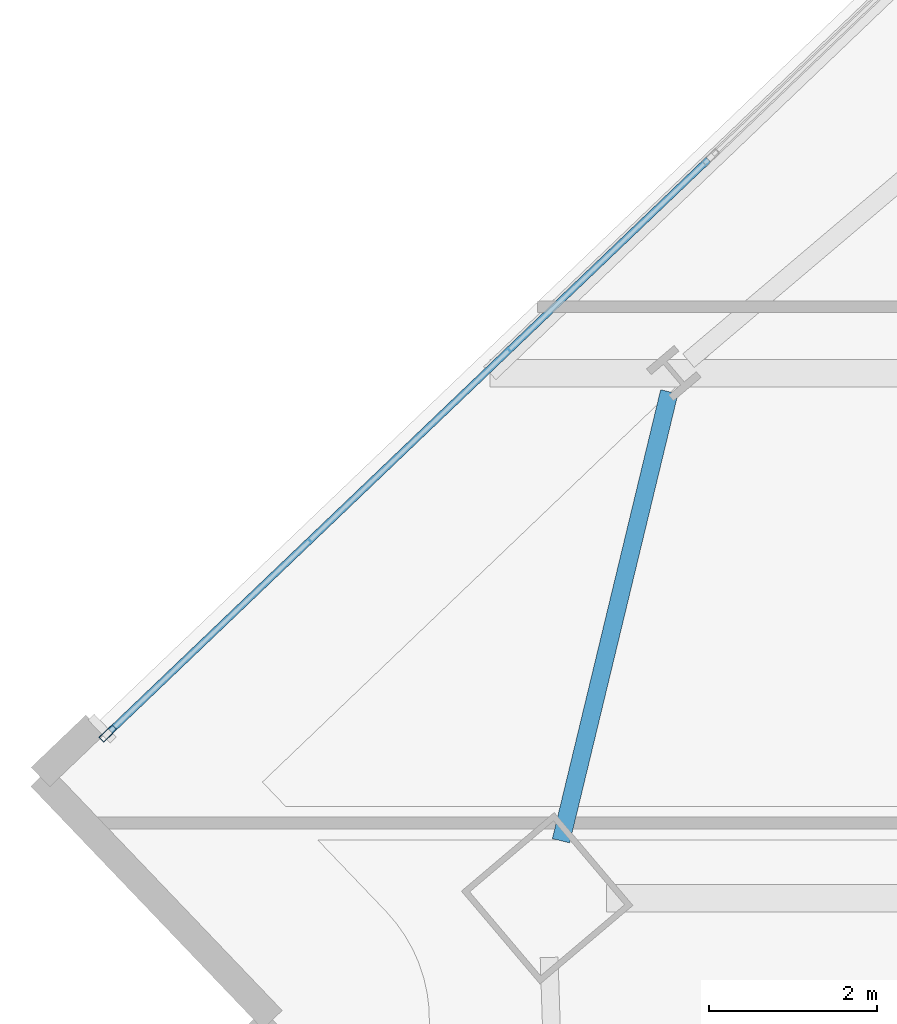
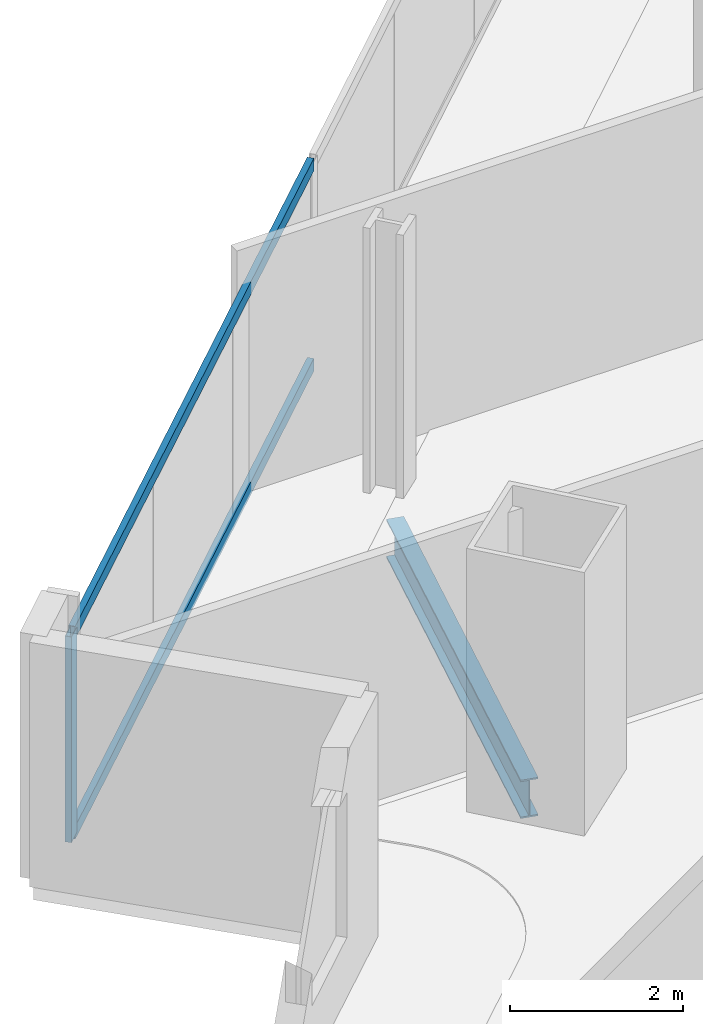
# One storey, part 13 of 33: 3 members, 1 beam, 1 element without a shape of its own.
"""IFC4 building model written with IfcOpenShell, lengths in metres."""

import ifcopenshell
import ifcopenshell.guid

model = None  # the IFC model being written
_history = None  # IfcOwnerHistory: only IFC2X3 demands one
_inside = {}  # id of a spatial element -> (the spatial element, [elements in it])
_under = {}  # id of a project, library or spatial element -> (it, [spatial elements below it])
_declared = {}  # id of a project -> (the project, [libraries it declares])
_typed = {}  # id of a type object -> (the type object, [elements of that type])
_made_of = {}  # id of a material, layer set ... -> (it, [elements and type objects made of it])


def new_model(schema):
    """Start an empty IFC model of exactly this schema.

    Asked for "IFC4X3", IfcOpenShell would pick the latest addendum, in which some entities
    have other attributes; the version numbers below select the first issue.
    IFC2X3 requires an IfcOwnerHistory on every rooted entity: one is made here for all.
    """
    global model, _history
    if schema == "IFC4X3":
        model = ifcopenshell.file(schema_version=(4, 3, 0, 0))
    else:
        model = ifcopenshell.file(schema=schema)
    _inside.clear()
    _under.clear()
    _declared.clear()
    _typed.clear()
    _made_of.clear()
    _history = None
    if model.schema == "IFC2X3":
        org = make("IfcOrganization", Name="unknown")
        user = make(
            "IfcPersonAndOrganization",
            ThePerson=make("IfcPerson", FamilyName="unknown"),
            TheOrganization=org,
        )
        app = make(
            "IfcApplication",
            ApplicationDeveloper=org,
            Version="unknown",
            ApplicationFullName="unknown",
            ApplicationIdentifier="unknown",
        )
        _history = make(
            "IfcOwnerHistory",
            OwningUser=user,
            OwningApplication=app,
            ChangeAction="ADDED",
            CreationDate=0,
        )
    return model


def make(cls, **values):
    """One entity of the class cls with the attributes given. An attribute that is None is left unset."""
    return model.create_entity(
        cls, **{name: value for name, value in values.items() if value is not None}
    )


def rooted(cls, **values):
    """An entity with a GlobalId (a new one), such as an element, a storey or a relation."""
    return make(cls, GlobalId=ifcopenshell.guid.new(), OwnerHistory=_history, **values)


def si_unit(unit_type, name, prefix=None):
    """IfcSIUnit, for example si_unit("LENGTHUNIT", "METRE", prefix="MILLI")."""
    return make("IfcSIUnit", UnitType=unit_type, Prefix=prefix, Name=name)


def assignment(units):
    """IfcUnitAssignment: the units of a project."""
    return None if units is None else make("IfcUnitAssignment", Units=units)


def point(xyz):
    """IfcCartesianPoint."""
    return None if xyz is None else make("IfcCartesianPoint", Coordinates=xyz)


def direction(xyz):
    """IfcDirection."""
    return None if xyz is None else make("IfcDirection", DirectionRatios=xyz)


def frame(location, z_axis=None, x_axis=None):
    """IfcAxis2Placement3D, a coordinate frame: its origin and axes. An axis left out is left unset."""
    return make(
        "IfcAxis2Placement3D",
        Location=point(location),
        Axis=direction(z_axis),
        RefDirection=direction(x_axis),
    )


def frame_2d(location, x_axis=None):
    """IfcAxis2Placement2D, a coordinate frame in the plane: its origin and x axis."""
    return make(
        "IfcAxis2Placement2D", Location=point(location), RefDirection=direction(x_axis)
    )


def origin():
    """The frame at (0, 0, 0) with its axes left unset."""
    return frame((0.0, 0.0, 0.0))


def origin_2d():
    """The frame at (0, 0) in the plane with its x axis left unset."""
    return frame_2d((0.0, 0.0))


def place(relative_to, where):
    """IfcLocalPlacement: puts the frame where relative to a parent placement (None: the world)."""
    return make(
        "IfcLocalPlacement", PlacementRelTo=relative_to, RelativePlacement=where
    )


def context(
    kind, dimensions, precision=None, world=None, true_north=None, identifier=None
):
    """IfcGeometricRepresentationContext, for example the 3D "Model" context."""
    return make(
        "IfcGeometricRepresentationContext",
        ContextIdentifier=identifier,
        ContextType=kind,
        CoordinateSpaceDimension=dimensions,
        Precision=precision,
        WorldCoordinateSystem=world,
        TrueNorth=true_north,
    )


def subcontext(parent, identifier, kind, view, scale=None):
    """IfcGeometricRepresentationSubContext, for example "Body" below "Model"."""
    return make(
        "IfcGeometricRepresentationSubContext",
        ContextIdentifier=identifier,
        ContextType=kind,
        ParentContext=parent,
        TargetScale=scale,
        TargetView=view,
    )


def project(units=None, contexts=None):
    """IfcProject with its units and contexts."""
    return rooted(
        "IfcProject",
        Name="project",
        RepresentationContexts=contexts,
        UnitsInContext=assignment(units),
    )


def spatial(cls, under=None, at=None, **own):
    """A site, building, storey or space (cls), placed at a placement, below another one or the project."""
    s = rooted(cls, ObjectPlacement=at, **own)
    if under is not None:
        _under.setdefault(under.id(), (under, []))[1].append(s)
    return s


def profile(cls, at=None, kind="AREA", **sizes):
    """A parametric profile (cls). Its sizes go by their IFC names, for example OverallWidth=200.0."""
    return make(cls, ProfileType=kind, Position=at, **sizes)


def hollow_rectangle(**sizes):
    """IfcRectangleHollowProfileDef."""
    return profile("IfcRectangleHollowProfileDef", **sizes)


def i_section(**sizes):
    """IfcIShapeProfileDef."""
    return profile("IfcIShapeProfileDef", **sizes)


def extrude(swept, where, along, depth):
    """IfcExtrudedAreaSolid: the profile swept, set in the frame where, extruded along a direction by depth."""
    return make(
        "IfcExtrudedAreaSolid",
        SweptArea=swept,
        Position=where,
        ExtrudedDirection=direction(along),
        Depth=depth,
    )


def shape(context_of_items, identifier, shape_type, items):
    """IfcShapeRepresentation: the items that make up one representation, for example the "Body"."""
    return make(
        "IfcShapeRepresentation",
        ContextOfItems=context_of_items,
        RepresentationIdentifier=identifier,
        RepresentationType=shape_type,
        Items=items,
    )


def material(Name=None, Category=None):
    """IfcMaterial."""
    return make("IfcMaterial", Name=Name, Category=Category)


def material_profile(
    of_material, cross_section, Name=None, Category=None, Priority=None
):
    """IfcMaterialProfile: a cross section and its material."""
    return make(
        "IfcMaterialProfile",
        Name=Name,
        Material=of_material,
        Profile=cross_section,
        Priority=Priority,
        Category=Category,
    )


def profile_set(profiles, Name=None, composite=None):
    """IfcMaterialProfileSet."""
    return make(
        "IfcMaterialProfileSet",
        Name=Name,
        MaterialProfiles=profiles,
        CompositeProfile=composite,
    )


def made_of(thing, what):
    """Note that an element or type object is made of a material, layer set ...; save() writes the relation."""
    if what is not None:
        _made_of.setdefault(what.id(), (what, []))[1].append(thing)
    return thing


def type_object(cls, material=None, **own):
    """A type object (cls), such as IfcWallType, which elements share."""
    return made_of(rooted(cls, **own), material)


def element(
    cls,
    number,
    at=None,
    inside=None,
    cuts=None,
    type_object=None,
    material=None,
    context=None,
    identifier="Body",
    shape_type=None,
    held_by="IfcProductDefinitionShape",
    body=None,
    shapes=None,
    **own,
):
    """One element of the class cls, such as IfcWall. Its Tag is "e" and its number.

    at: its placement. inside: the storey or other place that contains it. cuts: it is an
    opening in that element (IfcRelVoidsElement). A single representation is given by context,
    identifier, shape_type and body (its items); several are given by shapes. held_by: the class
    of the entity that holds the representations. save() writes the other relations.
    """
    e = rooted(cls, Tag="e%d" % number, ObjectPlacement=at, **own)
    if body is not None:
        shapes = [shape(context, identifier, shape_type, body)]
    if shapes is not None:
        e.Representation = make(held_by, Representations=shapes)
    if inside is not None:
        _inside.setdefault(inside.id(), (inside, []))[1].append(e)
    if cuts is not None:
        rooted(
            "IfcRelVoidsElement", RelatingBuildingElement=cuts, RelatedOpeningElement=e
        )
    if type_object is not None:
        _typed.setdefault(type_object.id(), (type_object, []))[1].append(e)
    return made_of(e, material)


def aggregate(whole, parts):
    """IfcRelAggregates: a whole, such as a stair, and the parts it consists of."""
    return rooted("IfcRelAggregates", RelatingObject=whole, RelatedObjects=parts)


def save(model, path):
    """Write the relations noted so far, then the file.

    IfcRelAggregates (storeys below a building ...), IfcRelContainedInSpatialStructure (elements
    in a storey), IfcRelDefinesByType, IfcRelAssociatesMaterial and IfcRelDeclares: one each for
    every whole, place, type object, material and project.
    """
    for whole, parts in _under.values():
        aggregate(whole, parts)
    for where, things in _inside.values():
        rooted(
            "IfcRelContainedInSpatialStructure",
            RelatedElements=things,
            RelatingStructure=where,
        )
    for kind, things in _typed.values():
        rooted("IfcRelDefinesByType", RelatedObjects=things, RelatingType=kind)
    for what, things in _made_of.values():
        rooted("IfcRelAssociatesMaterial", RelatedObjects=things, RelatingMaterial=what)
    for by, libraries in _declared.values():
        rooted("IfcRelDeclares", RelatingContext=by, RelatedDefinitions=libraries)
    model.write(path)


model = new_model("IFC4")

# Units and contexts
model_context = context("Model", 3, precision=1e-05, world=origin(), true_north=direction((0.0, 1.0)))
body_context = subcontext(model_context, "Body", "Model", "MODEL_VIEW")
ifc_project = project(units=[si_unit("LENGTHUNIT", "METRE"), si_unit("AREAUNIT", "SQUARE_METRE"), si_unit("VOLUMEUNIT", "CUBIC_METRE"), si_unit("PLANEANGLEUNIT", "RADIAN"), si_unit("MASSUNIT", "GRAM", prefix="KILO")], contexts=[model_context])

# Site, building, storey
site_placement = place(None, origin())
site = spatial("IfcSite", under=ifc_project, at=site_placement, CompositionType="ELEMENT")
building_placement = place(site_placement, origin())
building = spatial("IfcBuilding", under=site, at=building_placement, Name="Haldenkirk Collegiate Tower", CompositionType="ELEMENT")
storey_placement = place(building_placement, frame((0.0, 0.0, 174.449951171875)))
storey = spatial("IfcBuildingStorey", under=building, at=storey_placement, Name="L43", CompositionType="ELEMENT", Elevation=174.449951171875)

# Beam
ifc_material_1 = material(Name="Steel ASTM A992 Grade 50", Category="steel")
ifc_material_profile_1 = material_profile(ifc_material_1, i_section(OverallWidth=0.2119140625, OverallDepth=0.5439453125, WebThickness=0.01318359375, FlangeThickness=0.021240234375, at=origin_2d()), Name="W21X83")
ifc_profile_set_1 = profile_set([ifc_material_profile_1], Name="Steel ASTM A992 Grade 50")
beam_type = type_object("IfcBeamType", Name="BM-SPANDREL-W21X83", PredefinedType="SPANDREL", material=ifc_profile_set_1)
beam_placement = place(storey_placement, frame((12.21630859375, 33.137451171875, -0.56201171875), z_axis=(-0.234477140293, -0.972121633686, 0.0), x_axis=(0.972121633686, -0.234477140293, 0.0)))
element("IfcBeam", 1, at=beam_placement, inside=storey, type_object=beam_type, Name="L43 perimeter spandrel beam 12", PredefinedType="SPANDREL", context=body_context, shape_type="SweptSolid", body=[
    extrude(i_section(OverallWidth=0.2119140625, OverallDepth=0.5439453125, WebThickness=0.01318359375, FlangeThickness=0.021240234375, at=origin_2d()), origin(), (0.0, 0.0, 1.0), 5.501708984375),
])

# Curtain wall, members
ifc_material_2 = material(Name="Anodised architectural bronze aluminium", Category="aluminium")
curtain_wall_type = type_object("IfcCurtainWallType", Name="CW-SYS1-CONVEX-LOW", PredefinedType="USERDEFINED", material=ifc_material_2)
curtain_wall_placement = place(storey_placement, origin())
curtain_wall = element("IfcCurtainWall", 2, at=curtain_wall_placement, inside=storey, type_object=curtain_wall_type, Name="L43 Lower tower convex bronze-framed unitised curtain wall", ObjectType="UNITISED CURTAIN WALL", PredefinedType="USERDEFINED")
ifc_material_profile_2 = material_profile(ifc_material_2, hollow_rectangle(XDim=0.080078125, YDim=0.219970703125, WallThickness=0.0048828125, at=origin_2d()), Name="CW-MUL-1A")
ifc_profile_set_2 = profile_set([ifc_material_profile_2], Name="Anodised architectural bronze aluminium")
member_type_1 = type_object("IfcMemberType", Name="CW-MUL-1A", PredefinedType="MULLION", material=ifc_profile_set_2)
member_1_placement = place(storey_placement, frame((5.52880859375, 29.068115234375, 0.0), z_axis=(0.0, 0.0, 1.0), x_axis=(-0.690882167458, 0.722967378717, 0.0)))
member_1 = element("IfcMember", 3, at=member_1_placement, type_object=member_type_1, Name="CW-1A mullion 1", PredefinedType="MULLION", context=body_context, shape_type="SweptSolid", body=[
    extrude(hollow_rectangle(XDim=0.080078125, YDim=0.219970703125, WallThickness=0.0048828125, at=origin_2d()), origin(), (0.0, 0.0, 1.0), 2.9111328125),
])
ifc_material_profile_3 = material_profile(ifc_material_2, hollow_rectangle(XDim=0.080078125, YDim=0.179931640625, WallThickness=0.0048828125, at=origin_2d()), Name="CW-TRN-1A")
ifc_profile_set_3 = profile_set([ifc_material_profile_3], Name="Anodised architectural bronze aluminium")
member_type_2 = type_object("IfcMemberType", Name="CW-TRN-1A", PredefinedType="USERDEFINED", material=ifc_profile_set_3)
member_2_placement = place(storey_placement, frame((5.557861328125, 29.095703125, 0.0400390625), z_axis=(0.72296566776, 0.690883957869, 0.0), x_axis=(-0.690883957869, 0.72296566776, 0.0)))
member_2 = element("IfcMember", 4, at=member_2_placement, type_object=member_type_2, Name="CW-1A transom 1.1", ObjectType="TRANSOM", PredefinedType="USERDEFINED", context=body_context, shape_type="SweptSolid", body=[
    extrude(hollow_rectangle(XDim=0.080078125, YDim=0.179931640625, WallThickness=0.0048828125, at=origin_2d()), origin(), (0.0, 0.0, 1.0), 9.85498046875),
])
member_3_placement = place(storey_placement, frame((5.557861328125, 29.095703125, 2.87109375), z_axis=(0.72296566776, 0.690883957869, 0.0), x_axis=(-0.690883957869, 0.72296566776, 0.0)))
member_3 = element("IfcMember", 5, at=member_3_placement, type_object=member_type_2, Name="CW-1A transom 1.2", ObjectType="TRANSOM", PredefinedType="USERDEFINED", context=body_context, shape_type="SweptSolid", body=[
    extrude(hollow_rectangle(XDim=0.080078125, YDim=0.179931640625, WallThickness=0.0048828125, at=origin_2d()), origin(), (0.0, 0.0, 1.0), 9.85498046875),
])
aggregate(curtain_wall, [member_1, member_2, member_3])

save(model, "model.ifc")
